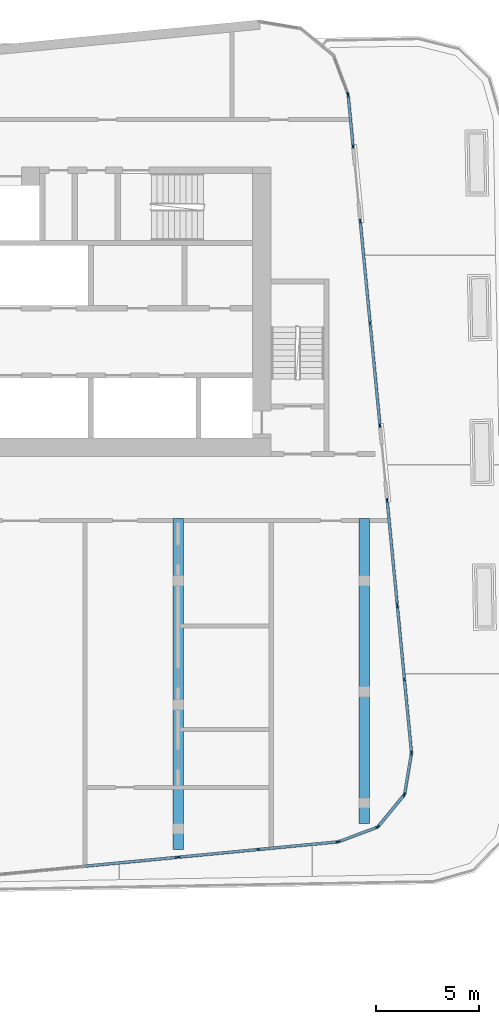
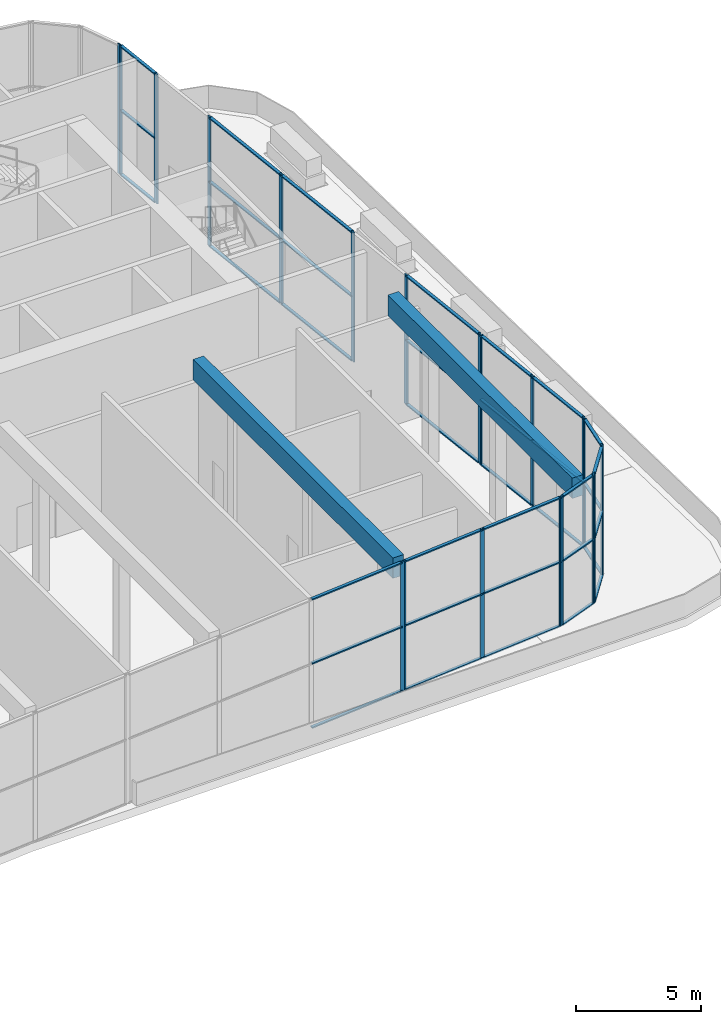
# One storey, part 7 of 24: 57 members, 2 beams, 10 elements without a shape of their own.
"""IFC4 building model written with IfcOpenShell, lengths in metres."""

from ifc_helpers import new_model, si_unit, direction, frame, origin, origin_2d, place, context, subcontext, project, spatial, rectangle, extrude, material, material_profile, profile_set, type_object, element, aggregate, save


model = new_model("IFC4")

# Units and contexts
model_context = context("Model", 3, precision=1e-05, world=origin(), true_north=direction((0.0, 1.0)))
body_context = subcontext(model_context, "Body", "Model", "MODEL_VIEW")
ifc_project = project(units=[si_unit("LENGTHUNIT", "METRE"), si_unit("AREAUNIT", "SQUARE_METRE"), si_unit("VOLUMEUNIT", "CUBIC_METRE"), si_unit("PLANEANGLEUNIT", "RADIAN"), si_unit("MASSUNIT", "GRAM", prefix="KILO")], contexts=[model_context])

# Site, building, storey
site_placement = place(None, origin())
site = spatial("IfcSite", under=ifc_project, at=site_placement, CompositionType="ELEMENT")
building_placement = place(site_placement, origin())
building = spatial("IfcBuilding", under=site, at=building_placement, Name="Kajstack Hotel Tower", CompositionType="ELEMENT")
storey_placement = place(building_placement, frame((0.0, 0.0, 261.89990234375)))
storey = spatial("IfcBuildingStorey", under=building, at=storey_placement, Name="L65", CompositionType="ELEMENT", Elevation=261.89990234375)

# Curtain wall, member
ifc_material_1 = material(Name="Aluminium-framed curtain wall, low-iron insulated glass", Category="aluminium")
curtain_wall_type = type_object("IfcCurtainWallType", Name="CW-GARDEN", PredefinedType="NOTDEFINED", material=ifc_material_1)
curtain_wall_1_placement = place(storey_placement, origin())
curtain_wall_1 = element("IfcCurtainWall", 1, at=curtain_wall_1_placement, inside=storey, type_object=curtain_wall_type, Name="Curtain wall CU6 L65-04-02-3", PredefinedType="NOTDEFINED")
ifc_material_2 = material(Name="Aluminium", Category="aluminium")
ifc_material_profile_1 = material_profile(ifc_material_2, rectangle(XDim=0.06005859375, YDim=0.199951171875, at=origin_2d()), Name="Aluminium mullion 60 x 200")
ifc_profile_set_1 = profile_set([ifc_material_profile_1], Name="Aluminium")
member_type_1 = type_object("IfcMemberType", Name="CW-M-GARDEN", PredefinedType="MULLION", material=ifc_profile_set_1)
member_1_placement = place(storey_placement, frame((26.962890625, -17.87646484375, 0.0), z_axis=(0.0, 0.0, 1.0), x_axis=(-0.09584623832, 0.99539615159, 0.0)))
member_1 = element("IfcMember", 2, at=member_1_placement, type_object=member_type_1, Name="CU6 mullion 4", PredefinedType="MULLION", context=body_context, shape_type="SweptSolid", body=[
    extrude(rectangle(XDim=0.06005859375, YDim=0.199951171875, at=origin_2d()), origin(), (0.0, 0.0, 1.0), 6.320068359375),
])

# Curtain wall, members
curtain_wall_2_placement = place(storey_placement, origin())
curtain_wall_2 = element("IfcCurtainWall", 3, at=curtain_wall_2_placement, inside=storey, type_object=curtain_wall_type, Name="Curtain wall CU6 L65-04-02-4", PredefinedType="NOTDEFINED")
member_2_placement = place(storey_placement, frame((27.022705078125, -17.87060546875, 0.0), z_axis=(0.0, 0.0, 1.0), x_axis=(-0.09584633566, 0.995396142217, 0.0)))
member_2 = element("IfcMember", 4, at=member_2_placement, type_object=member_type_1, Name="CU6 mullion 1", PredefinedType="MULLION", context=body_context, shape_type="SweptSolid", body=[
    extrude(rectangle(XDim=0.06005859375, YDim=0.199951171875, at=origin_2d()), origin(), (0.0, 0.0, 1.0), 6.320068359375),
])
member_3_placement = place(storey_placement, frame((30.871826171875, -17.5, 0.0), z_axis=(0.0, 0.0, 1.0), x_axis=(-0.09584633566, 0.995396142217, 0.0)))
member_3 = element("IfcMember", 5, at=member_3_placement, type_object=member_type_1, Name="CU6 mullion 2", PredefinedType="MULLION", context=body_context, shape_type="SweptSolid", body=[
    extrude(rectangle(XDim=0.06005859375, YDim=0.199951171875, at=origin_2d()), origin(), (0.0, 0.0, 1.0), 6.320068359375),
])
member_4_placement = place(storey_placement, frame((34.720947265625, -17.12939453125, 0.0), z_axis=(0.0, 0.0, 1.0), x_axis=(-0.09584633566, 0.995396142217, 0.0)))
member_4 = element("IfcMember", 6, at=member_4_placement, type_object=member_type_1, Name="CU6 mullion 3", PredefinedType="MULLION", context=body_context, shape_type="SweptSolid", body=[
    extrude(rectangle(XDim=0.06005859375, YDim=0.199951171875, at=origin_2d()), origin(), (0.0, 0.0, 1.0), 6.320068359375),
])

curtain_wall_3_placement = place(storey_placement, origin())
curtain_wall_3 = element("IfcCurtainWall", 7, at=curtain_wall_3_placement, inside=storey, type_object=curtain_wall_type, Name="Curtain wall CU6 L65-05-00-0", PredefinedType="NOTDEFINED")
member_5_placement = place(storey_placement, frame((34.760009765625, -17.120361328125, 0.0), z_axis=(0.0, 0.0, 1.0), x_axis=(-0.3502023187, 0.936674082046, 0.0)))
member_5 = element("IfcMember", 8, at=member_5_placement, type_object=member_type_1, Name="CU6 mullion 1", PredefinedType="MULLION", context=body_context, shape_type="SweptSolid", body=[
    extrude(rectangle(XDim=0.06005859375, YDim=0.199951171875, at=origin_2d()), origin(), (0.0, 0.0, 1.0), 6.320068359375),
])
member_6_placement = place(storey_placement, frame((36.64306640625, -16.416259765625, 0.0), z_axis=(0.0, 0.0, 1.0), x_axis=(-0.3502023187, 0.936674082046, 0.0)))
member_6 = element("IfcMember", 9, at=member_6_placement, type_object=member_type_1, Name="CU6 mullion 2", PredefinedType="MULLION", context=body_context, shape_type="SweptSolid", body=[
    extrude(rectangle(XDim=0.06005859375, YDim=0.199951171875, at=origin_2d()), origin(), (0.0, 0.0, 1.0), 6.320068359375),
])

curtain_wall_4_placement = place(storey_placement, origin())
curtain_wall_4 = element("IfcCurtainWall", 10, at=curtain_wall_4_placement, inside=storey, type_object=curtain_wall_type, Name="Curtain wall CU6 L65-06-00-0", PredefinedType="NOTDEFINED")
member_7_placement = place(storey_placement, frame((36.65869140625, -16.4052734375, 0.0), z_axis=(0.0, 0.0, 1.0), x_axis=(-0.771634596978, 0.636066072627, 0.0)))
member_7 = element("IfcMember", 11, at=member_7_placement, type_object=member_type_1, Name="CU6 mullion 1", PredefinedType="MULLION", context=body_context, shape_type="SweptSolid", body=[
    extrude(rectangle(XDim=0.06005859375, YDim=0.199951171875, at=origin_2d()), origin(), (0.0, 0.0, 1.0), 6.320068359375),
])
member_8_placement = place(storey_placement, frame((37.9375, -14.853759765625, 0.0), z_axis=(0.0, 0.0, 1.0), x_axis=(-0.771634596978, 0.636066072627, 0.0)))
member_8 = element("IfcMember", 12, at=member_8_placement, type_object=member_type_1, Name="CU6 mullion 2", PredefinedType="MULLION", context=body_context, shape_type="SweptSolid", body=[
    extrude(rectangle(XDim=0.06005859375, YDim=0.199951171875, at=origin_2d()), origin(), (0.0, 0.0, 1.0), 6.320068359375),
])

curtain_wall_5_placement = place(storey_placement, origin())
curtain_wall_5 = element("IfcCurtainWall", 13, at=curtain_wall_5_placement, inside=storey, type_object=curtain_wall_type, Name="Curtain wall CU6 L65-07-00-0", PredefinedType="NOTDEFINED")
member_9_placement = place(storey_placement, frame((37.945556640625, -14.83642578125, 0.0), z_axis=(0.0, 0.0, 1.0), x_axis=(-0.986280124455, 0.165080332276, 0.0)))
member_9 = element("IfcMember", 14, at=member_9_placement, type_object=member_type_1, Name="CU6 mullion 1", PredefinedType="MULLION", context=body_context, shape_type="SweptSolid", body=[
    extrude(rectangle(XDim=0.06005859375, YDim=0.199951171875, at=origin_2d()), origin(), (0.0, 0.0, 1.0), 6.320068359375),
])
member_10_placement = place(storey_placement, frame((38.27734375, -12.853515625, 0.0), z_axis=(0.0, 0.0, 1.0), x_axis=(-0.986280124455, 0.165080332276, 0.0)))
member_10 = element("IfcMember", 15, at=member_10_placement, type_object=member_type_1, Name="CU6 mullion 2", PredefinedType="MULLION", context=body_context, shape_type="SweptSolid", body=[
    extrude(rectangle(XDim=0.06005859375, YDim=0.199951171875, at=origin_2d()), origin(), (0.0, 0.0, 1.0), 6.320068359375),
])

curtain_wall_6_placement = place(storey_placement, origin())
curtain_wall_6 = element("IfcCurtainWall", 16, at=curtain_wall_6_placement, inside=storey, type_object=curtain_wall_type, Name="Curtain wall CU6 L65-08-00-0", PredefinedType="NOTDEFINED")
member_11_placement = place(storey_placement, frame((38.27880859375, -12.813720703125, 0.0), z_axis=(0.0, 0.0, 1.0), x_axis=(-0.995396097741, -0.095846797555, 0.0)))
member_11 = element("IfcMember", 17, at=member_11_placement, type_object=member_type_1, Name="CU6 mullion 1", PredefinedType="MULLION", context=body_context, shape_type="SweptSolid", body=[
    extrude(rectangle(XDim=0.06005859375, YDim=0.199951171875, at=origin_2d()), origin(), (0.0, 0.0, 1.0), 6.320068359375),
])
member_12_placement = place(storey_placement, frame((37.93798828125, -9.275390625, 0.0), z_axis=(0.0, 0.0, 1.0), x_axis=(-0.995396097741, -0.095846797555, 0.0)))
member_12 = element("IfcMember", 18, at=member_12_placement, type_object=member_type_1, Name="CU6 mullion 2", PredefinedType="MULLION", context=body_context, shape_type="SweptSolid", body=[
    extrude(rectangle(XDim=0.06005859375, YDim=0.199951171875, at=origin_2d()), origin(), (0.0, 0.0, 1.0), 6.320068359375),
])
member_13_placement = place(storey_placement, frame((37.597412109375, -5.737060546875, 0.0), z_axis=(0.0, 0.0, 1.0), x_axis=(-0.995396097741, -0.095846797555, 0.0)))
member_13 = element("IfcMember", 19, at=member_13_placement, type_object=member_type_1, Name="CU6 mullion 3", PredefinedType="MULLION", context=body_context, shape_type="SweptSolid", body=[
    extrude(rectangle(XDim=0.06005859375, YDim=0.199951171875, at=origin_2d()), origin(), (0.0, 0.0, 1.0), 6.320068359375),
])

curtain_wall_7_placement = place(storey_placement, origin())
curtain_wall_7 = element("IfcCurtainWall", 20, at=curtain_wall_7_placement, inside=storey, type_object=curtain_wall_type, Name="Curtain wall CU6 L65-08-00-1", PredefinedType="NOTDEFINED")
member_14_placement = place(storey_placement, frame((37.591552734375, -5.67724609375, 0.0), z_axis=(0.0, 0.0, 1.0), x_axis=(-0.995396109627, -0.09584667412, 0.0)))
member_14 = element("IfcMember", 21, at=member_14_placement, type_object=member_type_1, Name="CU6 mullion 1", PredefinedType="MULLION", context=body_context, shape_type="SweptSolid", body=[
    extrude(rectangle(XDim=0.06005859375, YDim=0.199951171875, at=origin_2d()), origin(), (0.0, 0.0, 1.0), 6.320068359375),
])
member_15_placement = place(storey_placement, frame((37.10546875, -0.628662109375, 0.0), z_axis=(0.0, 0.0, 1.0), x_axis=(-0.995396109627, -0.09584667412, 0.0)))
member_15 = element("IfcMember", 22, at=member_15_placement, type_object=member_type_1, Name="CU6 mullion 2", PredefinedType="MULLION", context=body_context, shape_type="SweptSolid", body=[
    extrude(rectangle(XDim=0.06005859375, YDim=0.199951171875, at=origin_2d()), origin(), (0.0, 0.0, 1.0), 6.320068359375),
])

curtain_wall_8_placement = place(storey_placement, origin())
curtain_wall_8 = element("IfcCurtainWall", 23, at=curtain_wall_8_placement, inside=storey, type_object=curtain_wall_type, Name="Curtain wall CU6 L65-08-02-0", PredefinedType="NOTDEFINED")
member_16_placement = place(storey_placement, frame((36.754638671875, 3.014404296875, 0.0), z_axis=(0.0, 0.0, 1.0), x_axis=(-0.995396093213, -0.095846844583, 0.0)))
member_16 = element("IfcMember", 24, at=member_16_placement, type_object=member_type_1, Name="CU6 mullion 1", PredefinedType="MULLION", context=body_context, shape_type="SweptSolid", body=[
    extrude(rectangle(XDim=0.06005859375, YDim=0.199951171875, at=origin_2d()), origin(), (0.0, 0.0, 1.0), 6.320068359375),
])
member_17_placement = place(storey_placement, frame((36.280029296875, 7.94287109375, 0.0), z_axis=(0.0, 0.0, 1.0), x_axis=(-0.995396093213, -0.095846844583, 0.0)))
member_17 = element("IfcMember", 25, at=member_17_placement, type_object=member_type_1, Name="CU6 mullion 2", PredefinedType="MULLION", context=body_context, shape_type="SweptSolid", body=[
    extrude(rectangle(XDim=0.06005859375, YDim=0.199951171875, at=origin_2d()), origin(), (0.0, 0.0, 1.0), 6.320068359375),
])
member_18_placement = place(storey_placement, frame((35.8056640625, 12.871337890625, 0.0), z_axis=(0.0, 0.0, 1.0), x_axis=(-0.995396093213, -0.095846844583, 0.0)))
member_18 = element("IfcMember", 26, at=member_18_placement, type_object=member_type_1, Name="CU6 mullion 3", PredefinedType="MULLION", context=body_context, shape_type="SweptSolid", body=[
    extrude(rectangle(XDim=0.06005859375, YDim=0.199951171875, at=origin_2d()), origin(), (0.0, 0.0, 1.0), 6.320068359375),
])

curtain_wall_9_placement = place(storey_placement, origin())
curtain_wall_9 = element("IfcCurtainWall", 27, at=curtain_wall_9_placement, inside=storey, type_object=curtain_wall_type, Name="Curtain wall CU6 L65-08-04-0", PredefinedType="NOTDEFINED")
member_19_placement = place(storey_placement, frame((35.454833984375, 16.514404296875, 0.0), z_axis=(0.0, 0.0, 1.0), x_axis=(-0.995396075676, -0.095847026704, 0.0)))
member_19 = element("IfcMember", 28, at=member_19_placement, type_object=member_type_1, Name="CU6 mullion 1", PredefinedType="MULLION", context=body_context, shape_type="SweptSolid", body=[
    extrude(rectangle(XDim=0.06005859375, YDim=0.199951171875, at=origin_2d()), origin(), (0.0, 0.0, 1.0), 6.320068359375),
])
member_20_placement = place(storey_placement, frame((35.217529296875, 18.979248046875, 0.0), z_axis=(0.0, 0.0, 1.0), x_axis=(-0.995396075676, -0.095847026704, 0.0)))
member_20 = element("IfcMember", 29, at=member_20_placement, type_object=member_type_1, Name="CU6 mullion 2", PredefinedType="MULLION", context=body_context, shape_type="SweptSolid", body=[
    extrude(rectangle(XDim=0.06005859375, YDim=0.199951171875, at=origin_2d()), origin(), (0.0, 0.0, 1.0), 6.320068359375),
])

# Curtain wall, member
curtain_wall_10_placement = place(storey_placement, origin())
curtain_wall_10 = element("IfcCurtainWall", 30, at=curtain_wall_10_placement, inside=storey, type_object=curtain_wall_type, Name="Curtain wall CU6 L65-09-00-0", PredefinedType="NOTDEFINED")
member_21_placement = place(storey_placement, frame((35.20849609375, 19.018310546875, 0.0), z_axis=(0.0, 0.0, 1.0), x_axis=(-0.936674082046, -0.3502023187, 0.0)))
member_21 = element("IfcMember", 31, at=member_21_placement, type_object=member_type_1, Name="CU6 mullion 1", PredefinedType="MULLION", context=body_context, shape_type="SweptSolid", body=[
    extrude(rectangle(XDim=0.06005859375, YDim=0.199951171875, at=origin_2d()), origin(), (0.0, 0.0, 1.0), 6.320068359375),
])
aggregate(curtain_wall_10, [member_21])

# Member
ifc_material_profile_2 = material_profile(ifc_material_2, rectangle(XDim=0.139892578125, YDim=0.06005859375, at=origin_2d()), Name="Aluminium transom 140 x 60")
ifc_profile_set_2 = profile_set([ifc_material_profile_2], Name="Aluminium")
member_type_2 = type_object("IfcMemberType", Name="CW-T-GARDEN", PredefinedType="USERDEFINED", material=ifc_profile_set_2)
member_22_placement = place(storey_placement, frame((22.522705078125, -18.303955078125, 0.030029296875), z_axis=(0.995398624916, 0.095820548504, 0.0), x_axis=(-0.095820548504, 0.995398624916, 0.0)))
member_22 = element("IfcMember", 32, at=member_22_placement, type_object=member_type_2, Name="CU6 transom 3.1", ObjectType="TRANSOM", PredefinedType="USERDEFINED", context=body_context, shape_type="SweptSolid", body=[
    extrude(rectangle(XDim=0.139892578125, YDim=0.06005859375, at=origin_2d()), origin(), (0.0, 0.0, 1.0), 4.430908203125),
])

member_23_placement = place(storey_placement, frame((22.522705078125, -18.303955078125, 3.16015625), z_axis=(0.995398624916, 0.095820548504, 0.0), x_axis=(-0.095820548504, 0.995398624916, 0.0)))
member_23 = element("IfcMember", 33, at=member_23_placement, type_object=member_type_2, Name="CU6 transom 3.2", ObjectType="TRANSOM", PredefinedType="USERDEFINED", context=body_context, shape_type="SweptSolid", body=[
    extrude(rectangle(XDim=0.139892578125, YDim=0.06005859375, at=origin_2d()), origin(), (0.0, 0.0, 1.0), 4.430908203125),
])

member_24_placement = place(storey_placement, frame((22.522705078125, -18.303955078125, 6.2900390625), z_axis=(0.995398624916, 0.095820548504, 0.0), x_axis=(-0.095820548504, 0.995398624916, 0.0)))
member_24 = element("IfcMember", 34, at=member_24_placement, type_object=member_type_2, Name="CU6 transom 3.3", ObjectType="TRANSOM", PredefinedType="USERDEFINED", context=body_context, shape_type="SweptSolid", body=[
    extrude(rectangle(XDim=0.139892578125, YDim=0.06005859375, at=origin_2d()), origin(), (0.0, 0.0, 1.0), 4.430908203125),
])

aggregate(curtain_wall_1, [member_1, member_22, member_23, member_24])

member_25_placement = place(storey_placement, frame((27.052490234375, -17.867919921875, 0.030029296875), z_axis=(0.995393742275, 0.095871256584, 0.0), x_axis=(-0.095871256584, 0.995393742275, 0.0)))
member_25 = element("IfcMember", 35, at=member_25_placement, type_object=member_type_2, Name="CU6 transom 1.1", ObjectType="TRANSOM", PredefinedType="USERDEFINED", context=body_context, shape_type="SweptSolid", body=[
    extrude(rectangle(XDim=0.139892578125, YDim=0.06005859375, at=origin_2d()), origin(), (0.0, 0.0, 1.0), 3.80712890625),
])

member_26_placement = place(storey_placement, frame((27.052490234375, -17.867919921875, 3.16015625), z_axis=(0.995393742275, 0.095871256584, 0.0), x_axis=(-0.095871256584, 0.995393742275, 0.0)))
member_26 = element("IfcMember", 36, at=member_26_placement, type_object=member_type_2, Name="CU6 transom 1.2", ObjectType="TRANSOM", PredefinedType="USERDEFINED", context=body_context, shape_type="SweptSolid", body=[
    extrude(rectangle(XDim=0.139892578125, YDim=0.06005859375, at=origin_2d()), origin(), (0.0, 0.0, 1.0), 3.80712890625),
])

member_27_placement = place(storey_placement, frame((27.052490234375, -17.867919921875, 6.2900390625), z_axis=(0.995393742275, 0.095871256584, 0.0), x_axis=(-0.095871256584, 0.995393742275, 0.0)))
member_27 = element("IfcMember", 37, at=member_27_placement, type_object=member_type_2, Name="CU6 transom 1.3", ObjectType="TRANSOM", PredefinedType="USERDEFINED", context=body_context, shape_type="SweptSolid", body=[
    extrude(rectangle(XDim=0.139892578125, YDim=0.06005859375, at=origin_2d()), origin(), (0.0, 0.0, 1.0), 3.80712890625),
])

member_28_placement = place(storey_placement, frame((30.901611328125, -17.4970703125, 0.030029296875), z_axis=(0.995399859991, 0.095807717487, 0.0), x_axis=(-0.095807717487, 0.995399859991, 0.0)))
member_28 = element("IfcMember", 38, at=member_28_placement, type_object=member_type_2, Name="CU6 transom 2.1", ObjectType="TRANSOM", PredefinedType="USERDEFINED", context=body_context, shape_type="SweptSolid", body=[
    extrude(rectangle(XDim=0.139892578125, YDim=0.06005859375, at=origin_2d()), origin(), (0.0, 0.0, 1.0), 3.80712890625),
])

member_29_placement = place(storey_placement, frame((30.901611328125, -17.4970703125, 3.16015625), z_axis=(0.995399859991, 0.095807717487, 0.0), x_axis=(-0.095807717487, 0.995399859991, 0.0)))
member_29 = element("IfcMember", 39, at=member_29_placement, type_object=member_type_2, Name="CU6 transom 2.2", ObjectType="TRANSOM", PredefinedType="USERDEFINED", context=body_context, shape_type="SweptSolid", body=[
    extrude(rectangle(XDim=0.139892578125, YDim=0.06005859375, at=origin_2d()), origin(), (0.0, 0.0, 1.0), 3.80712890625),
])

member_30_placement = place(storey_placement, frame((30.901611328125, -17.4970703125, 6.2900390625), z_axis=(0.995399859991, 0.095807717487, 0.0), x_axis=(-0.095807717487, 0.995399859991, 0.0)))
member_30 = element("IfcMember", 40, at=member_30_placement, type_object=member_type_2, Name="CU6 transom 2.3", ObjectType="TRANSOM", PredefinedType="USERDEFINED", context=body_context, shape_type="SweptSolid", body=[
    extrude(rectangle(XDim=0.139892578125, YDim=0.06005859375, at=origin_2d()), origin(), (0.0, 0.0, 1.0), 3.80712890625),
])

aggregate(curtain_wall_2, [member_2, member_3, member_4, member_25, member_26, member_27, member_28, member_29, member_30])

member_31_placement = place(storey_placement, frame((34.7880859375, -17.10986328125, 0.030029296875), z_axis=(0.936663116963, 0.350231645231, 0.0), x_axis=(-0.350231645231, 0.936663116963, 0.0)))
member_31 = element("IfcMember", 41, at=member_31_placement, type_object=member_type_2, Name="CU6 transom 1.1", ObjectType="TRANSOM", PredefinedType="USERDEFINED", context=body_context, shape_type="SweptSolid", body=[
    extrude(rectangle(XDim=0.139892578125, YDim=0.06005859375, at=origin_2d()), origin(), (0.0, 0.0, 1.0), 1.950439453125),
])

member_32_placement = place(storey_placement, frame((34.7880859375, -17.10986328125, 3.16015625), z_axis=(0.936663116963, 0.350231645231, 0.0), x_axis=(-0.350231645231, 0.936663116963, 0.0)))
member_32 = element("IfcMember", 42, at=member_32_placement, type_object=member_type_2, Name="CU6 transom 1.2", ObjectType="TRANSOM", PredefinedType="USERDEFINED", context=body_context, shape_type="SweptSolid", body=[
    extrude(rectangle(XDim=0.139892578125, YDim=0.06005859375, at=origin_2d()), origin(), (0.0, 0.0, 1.0), 1.950439453125),
])

member_33_placement = place(storey_placement, frame((34.7880859375, -17.10986328125, 6.2900390625), z_axis=(0.936663116963, 0.350231645231, 0.0), x_axis=(-0.350231645231, 0.936663116963, 0.0)))
member_33 = element("IfcMember", 43, at=member_33_placement, type_object=member_type_2, Name="CU6 transom 1.3", ObjectType="TRANSOM", PredefinedType="USERDEFINED", context=body_context, shape_type="SweptSolid", body=[
    extrude(rectangle(XDim=0.139892578125, YDim=0.06005859375, at=origin_2d()), origin(), (0.0, 0.0, 1.0), 1.950439453125),
])

aggregate(curtain_wall_3, [member_5, member_6, member_31, member_32, member_33])

member_34_placement = place(storey_placement, frame((36.677734375, -16.382080078125, 0.030029296875), z_axis=(0.636075700037, 0.771626660907, 0.0), x_axis=(-0.771626660907, 0.636075700037, 0.0)))
member_34 = element("IfcMember", 44, at=member_34_placement, type_object=member_type_2, Name="CU6 transom 1.1", ObjectType="TRANSOM", PredefinedType="USERDEFINED", context=body_context, shape_type="SweptSolid", body=[
    extrude(rectangle(XDim=0.139892578125, YDim=0.06005859375, at=origin_2d()), origin(), (0.0, 0.0, 1.0), 1.95068359375),
])

member_35_placement = place(storey_placement, frame((36.677734375, -16.382080078125, 3.16015625), z_axis=(0.636075700037, 0.771626660907, 0.0), x_axis=(-0.771626660907, 0.636075700037, 0.0)))
member_35 = element("IfcMember", 45, at=member_35_placement, type_object=member_type_2, Name="CU6 transom 1.2", ObjectType="TRANSOM", PredefinedType="USERDEFINED", context=body_context, shape_type="SweptSolid", body=[
    extrude(rectangle(XDim=0.139892578125, YDim=0.06005859375, at=origin_2d()), origin(), (0.0, 0.0, 1.0), 1.95068359375),
])

member_36_placement = place(storey_placement, frame((36.677734375, -16.382080078125, 6.2900390625), z_axis=(0.636075700037, 0.771626660907, 0.0), x_axis=(-0.771626660907, 0.636075700037, 0.0)))
member_36 = element("IfcMember", 46, at=member_36_placement, type_object=member_type_2, Name="CU6 transom 1.3", ObjectType="TRANSOM", PredefinedType="USERDEFINED", context=body_context, shape_type="SweptSolid", body=[
    extrude(rectangle(XDim=0.139892578125, YDim=0.06005859375, at=origin_2d()), origin(), (0.0, 0.0, 1.0), 1.95068359375),
])

aggregate(curtain_wall_4, [member_7, member_8, member_34, member_35, member_36])

member_37_placement = place(storey_placement, frame((37.950439453125, -14.806884765625, 0.030029296875), z_axis=(0.165089030927, 0.986278668464, 0.0), x_axis=(-0.986278668464, 0.165089030927, 0.0)))
member_37 = element("IfcMember", 47, at=member_37_placement, type_object=member_type_2, Name="CU6 transom 1.1", ObjectType="TRANSOM", PredefinedType="USERDEFINED", context=body_context, shape_type="SweptSolid", body=[
    extrude(rectangle(XDim=0.139892578125, YDim=0.06005859375, at=origin_2d()), origin(), (0.0, 0.0, 1.0), 1.95068359375),
])

member_38_placement = place(storey_placement, frame((37.950439453125, -14.806884765625, 3.16015625), z_axis=(0.165089030927, 0.986278668464, 0.0), x_axis=(-0.986278668464, 0.165089030927, 0.0)))
member_38 = element("IfcMember", 48, at=member_38_placement, type_object=member_type_2, Name="CU6 transom 1.2", ObjectType="TRANSOM", PredefinedType="USERDEFINED", context=body_context, shape_type="SweptSolid", body=[
    extrude(rectangle(XDim=0.139892578125, YDim=0.06005859375, at=origin_2d()), origin(), (0.0, 0.0, 1.0), 1.95068359375),
])

member_39_placement = place(storey_placement, frame((37.950439453125, -14.806884765625, 6.2900390625), z_axis=(0.165089030927, 0.986278668464, 0.0), x_axis=(-0.986278668464, 0.165089030927, 0.0)))
member_39 = element("IfcMember", 49, at=member_39_placement, type_object=member_type_2, Name="CU6 transom 1.3", ObjectType="TRANSOM", PredefinedType="USERDEFINED", context=body_context, shape_type="SweptSolid", body=[
    extrude(rectangle(XDim=0.139892578125, YDim=0.06005859375, at=origin_2d()), origin(), (0.0, 0.0, 1.0), 1.95068359375),
])

aggregate(curtain_wall_5, [member_9, member_10, member_37, member_38, member_39])

member_40_placement = place(storey_placement, frame((38.27587890625, -12.78369140625, 0.030029296875), z_axis=(-0.095850849995, 0.995395707523, 0.0), x_axis=(-0.995395707523, -0.095850849995, 0.0)))
member_40 = element("IfcMember", 50, at=member_40_placement, type_object=member_type_2, Name="CU6 transom 1.1", ObjectType="TRANSOM", PredefinedType="USERDEFINED", context=body_context, shape_type="SweptSolid", body=[
    extrude(rectangle(XDim=0.139892578125, YDim=0.06005859375, at=origin_2d()), origin(), (0.0, 0.0, 1.0), 3.49462890625),
])

member_41_placement = place(storey_placement, frame((38.27587890625, -12.78369140625, 3.16015625), z_axis=(-0.095850849995, 0.995395707523, 0.0), x_axis=(-0.995395707523, -0.095850849995, 0.0)))
member_41 = element("IfcMember", 51, at=member_41_placement, type_object=member_type_2, Name="CU6 transom 1.2", ObjectType="TRANSOM", PredefinedType="USERDEFINED", context=body_context, shape_type="SweptSolid", body=[
    extrude(rectangle(XDim=0.139892578125, YDim=0.06005859375, at=origin_2d()), origin(), (0.0, 0.0, 1.0), 3.49462890625),
])

member_42_placement = place(storey_placement, frame((38.27587890625, -12.78369140625, 6.2900390625), z_axis=(-0.095850849995, 0.995395707523, 0.0), x_axis=(-0.995395707523, -0.095850849995, 0.0)))
member_42 = element("IfcMember", 52, at=member_42_placement, type_object=member_type_2, Name="CU6 transom 1.3", ObjectType="TRANSOM", PredefinedType="USERDEFINED", context=body_context, shape_type="SweptSolid", body=[
    extrude(rectangle(XDim=0.139892578125, YDim=0.06005859375, at=origin_2d()), origin(), (0.0, 0.0, 1.0), 3.49462890625),
])

member_43_placement = place(storey_placement, frame((37.935302734375, -9.245361328125, 0.030029296875), z_axis=(-0.095850849995, 0.995395707523, 0.0), x_axis=(-0.995395707523, -0.095850849995, 0.0)))
member_43 = element("IfcMember", 53, at=member_43_placement, type_object=member_type_2, Name="CU6 transom 2.1", ObjectType="TRANSOM", PredefinedType="USERDEFINED", context=body_context, shape_type="SweptSolid", body=[
    extrude(rectangle(XDim=0.139892578125, YDim=0.06005859375, at=origin_2d()), origin(), (0.0, 0.0, 1.0), 3.49462890625),
])

member_44_placement = place(storey_placement, frame((37.935302734375, -9.245361328125, 3.16015625), z_axis=(-0.095850849995, 0.995395707523, 0.0), x_axis=(-0.995395707523, -0.095850849995, 0.0)))
member_44 = element("IfcMember", 54, at=member_44_placement, type_object=member_type_2, Name="CU6 transom 2.2", ObjectType="TRANSOM", PredefinedType="USERDEFINED", context=body_context, shape_type="SweptSolid", body=[
    extrude(rectangle(XDim=0.139892578125, YDim=0.06005859375, at=origin_2d()), origin(), (0.0, 0.0, 1.0), 3.49462890625),
])

member_45_placement = place(storey_placement, frame((37.935302734375, -9.245361328125, 6.2900390625), z_axis=(-0.095850849995, 0.995395707523, 0.0), x_axis=(-0.995395707523, -0.095850849995, 0.0)))
member_45 = element("IfcMember", 55, at=member_45_placement, type_object=member_type_2, Name="CU6 transom 2.3", ObjectType="TRANSOM", PredefinedType="USERDEFINED", context=body_context, shape_type="SweptSolid", body=[
    extrude(rectangle(XDim=0.139892578125, YDim=0.06005859375, at=origin_2d()), origin(), (0.0, 0.0, 1.0), 3.49462890625),
])

aggregate(curtain_wall_6, [member_11, member_12, member_13, member_40, member_41, member_42, member_43, member_44, member_45])

member_46_placement = place(storey_placement, frame((37.588623046875, -5.6474609375, 0.030029296875), z_axis=(-0.095818221388, 0.995398848929, 0.0), x_axis=(-0.995398848929, -0.095818221388, 0.0)))
member_46 = element("IfcMember", 56, at=member_46_placement, type_object=member_type_2, Name="CU6 transom 1.1", ObjectType="TRANSOM", PredefinedType="USERDEFINED", context=body_context, shape_type="SweptSolid", body=[
    extrude(rectangle(XDim=0.139892578125, YDim=0.06005859375, at=origin_2d()), origin(), (0.0, 0.0, 1.0), 5.01171875),
])

member_47_placement = place(storey_placement, frame((37.588623046875, -5.6474609375, 3.16015625), z_axis=(-0.095818221388, 0.995398848929, 0.0), x_axis=(-0.995398848929, -0.095818221388, 0.0)))
member_47 = element("IfcMember", 57, at=member_47_placement, type_object=member_type_2, Name="CU6 transom 1.2", ObjectType="TRANSOM", PredefinedType="USERDEFINED", context=body_context, shape_type="SweptSolid", body=[
    extrude(rectangle(XDim=0.139892578125, YDim=0.06005859375, at=origin_2d()), origin(), (0.0, 0.0, 1.0), 5.01171875),
])

member_48_placement = place(storey_placement, frame((37.588623046875, -5.6474609375, 6.2900390625), z_axis=(-0.095818221388, 0.995398848929, 0.0), x_axis=(-0.995398848929, -0.095818221388, 0.0)))
member_48 = element("IfcMember", 58, at=member_48_placement, type_object=member_type_2, Name="CU6 transom 1.3", ObjectType="TRANSOM", PredefinedType="USERDEFINED", context=body_context, shape_type="SweptSolid", body=[
    extrude(rectangle(XDim=0.139892578125, YDim=0.06005859375, at=origin_2d()), origin(), (0.0, 0.0, 1.0), 5.01171875),
])

aggregate(curtain_wall_7, [member_14, member_15, member_46, member_47, member_48])

member_49_placement = place(storey_placement, frame((36.751708984375, 3.044189453125, 0.030029296875), z_axis=(-0.095831287911, 0.995397591045, 0.0), x_axis=(-0.995397591045, -0.095831287911, 0.0)))
member_49 = element("IfcMember", 59, at=member_49_placement, type_object=member_type_2, Name="CU6 transom 1.1", ObjectType="TRANSOM", PredefinedType="USERDEFINED", context=body_context, shape_type="SweptSolid", body=[
    extrude(rectangle(XDim=0.139892578125, YDim=0.06005859375, at=origin_2d()), origin(), (0.0, 0.0, 1.0), 4.891357421875),
])

member_50_placement = place(storey_placement, frame((36.751708984375, 3.044189453125, 3.16015625), z_axis=(-0.095831287911, 0.995397591045, 0.0), x_axis=(-0.995397591045, -0.095831287911, 0.0)))
member_50 = element("IfcMember", 60, at=member_50_placement, type_object=member_type_2, Name="CU6 transom 1.2", ObjectType="TRANSOM", PredefinedType="USERDEFINED", context=body_context, shape_type="SweptSolid", body=[
    extrude(rectangle(XDim=0.139892578125, YDim=0.06005859375, at=origin_2d()), origin(), (0.0, 0.0, 1.0), 4.891357421875),
])

member_51_placement = place(storey_placement, frame((36.751708984375, 3.044189453125, 6.2900390625), z_axis=(-0.095831287911, 0.995397591045, 0.0), x_axis=(-0.995397591045, -0.095831287911, 0.0)))
member_51 = element("IfcMember", 61, at=member_51_placement, type_object=member_type_2, Name="CU6 transom 1.3", ObjectType="TRANSOM", PredefinedType="USERDEFINED", context=body_context, shape_type="SweptSolid", body=[
    extrude(rectangle(XDim=0.139892578125, YDim=0.06005859375, at=origin_2d()), origin(), (0.0, 0.0, 1.0), 4.891357421875),
])

member_52_placement = place(storey_placement, frame((36.27734375, 7.97265625, 0.030029296875), z_axis=(-0.09588074131, 0.995392828709, 0.0), x_axis=(-0.995392828709, -0.09588074131, 0.0)))
member_52 = element("IfcMember", 62, at=member_52_placement, type_object=member_type_2, Name="CU6 transom 2.1", ObjectType="TRANSOM", PredefinedType="USERDEFINED", context=body_context, shape_type="SweptSolid", body=[
    extrude(rectangle(XDim=0.139892578125, YDim=0.06005859375, at=origin_2d()), origin(), (0.0, 0.0, 1.0), 4.891357421875),
])

member_53_placement = place(storey_placement, frame((36.27734375, 7.97265625, 3.16015625), z_axis=(-0.09588074131, 0.995392828709, 0.0), x_axis=(-0.995392828709, -0.09588074131, 0.0)))
member_53 = element("IfcMember", 63, at=member_53_placement, type_object=member_type_2, Name="CU6 transom 2.2", ObjectType="TRANSOM", PredefinedType="USERDEFINED", context=body_context, shape_type="SweptSolid", body=[
    extrude(rectangle(XDim=0.139892578125, YDim=0.06005859375, at=origin_2d()), origin(), (0.0, 0.0, 1.0), 4.891357421875),
])

member_54_placement = place(storey_placement, frame((36.27734375, 7.97265625, 6.2900390625), z_axis=(-0.09588074131, 0.995392828709, 0.0), x_axis=(-0.995392828709, -0.09588074131, 0.0)))
member_54 = element("IfcMember", 64, at=member_54_placement, type_object=member_type_2, Name="CU6 transom 2.3", ObjectType="TRANSOM", PredefinedType="USERDEFINED", context=body_context, shape_type="SweptSolid", body=[
    extrude(rectangle(XDim=0.139892578125, YDim=0.06005859375, at=origin_2d()), origin(), (0.0, 0.0, 1.0), 4.891357421875),
])

aggregate(curtain_wall_8, [member_16, member_17, member_18, member_49, member_50, member_51, member_52, member_53, member_54])

member_55_placement = place(storey_placement, frame((35.451904296875, 16.544189453125, 0.030029296875), z_axis=(-0.095881820523, 0.995392724754, 0.0), x_axis=(-0.995392724754, -0.095881820523, 0.0)))
member_55 = element("IfcMember", 65, at=member_55_placement, type_object=member_type_2, Name="CU6 transom 1.1", ObjectType="TRANSOM", PredefinedType="USERDEFINED", context=body_context, shape_type="SweptSolid", body=[
    extrude(rectangle(XDim=0.139892578125, YDim=0.06005859375, at=origin_2d()), origin(), (0.0, 0.0, 1.0), 2.41650390625),
])

member_56_placement = place(storey_placement, frame((35.451904296875, 16.544189453125, 3.16015625), z_axis=(-0.095881820523, 0.995392724754, 0.0), x_axis=(-0.995392724754, -0.095881820523, 0.0)))
member_56 = element("IfcMember", 66, at=member_56_placement, type_object=member_type_2, Name="CU6 transom 1.2", ObjectType="TRANSOM", PredefinedType="USERDEFINED", context=body_context, shape_type="SweptSolid", body=[
    extrude(rectangle(XDim=0.139892578125, YDim=0.06005859375, at=origin_2d()), origin(), (0.0, 0.0, 1.0), 2.41650390625),
])

member_57_placement = place(storey_placement, frame((35.451904296875, 16.544189453125, 6.2900390625), z_axis=(-0.095881820523, 0.995392724754, 0.0), x_axis=(-0.995392724754, -0.095881820523, 0.0)))
member_57 = element("IfcMember", 67, at=member_57_placement, type_object=member_type_2, Name="CU6 transom 1.3", ObjectType="TRANSOM", PredefinedType="USERDEFINED", context=body_context, shape_type="SweptSolid", body=[
    extrude(rectangle(XDim=0.139892578125, YDim=0.06005859375, at=origin_2d()), origin(), (0.0, 0.0, 1.0), 2.41650390625),
])

aggregate(curtain_wall_9, [member_19, member_20, member_55, member_56, member_57])

# Beams
ifc_material_3 = material(Name="Concrete C60/75", Category="concrete")
ifc_material_profile_3 = material_profile(ifc_material_3, rectangle(XDim=0.5, YDim=1.0, at=origin_2d()), Name="RC 500x1000")
ifc_profile_set_3 = profile_set([ifc_material_profile_3], Name="Concrete C60/75")
beam_type = type_object("IfcBeamType", Name="TG5 RC 500x1000 C60/75", PredefinedType="BEAM", material=ifc_profile_set_3)
beam_1_placement = place(storey_placement, frame((27.0, -17.49609375, 5.820068359375), z_axis=(0.0, 1.0, 0.0), x_axis=(-1.0, 0.0, 0.0)))
element("IfcBeam", 68, at=beam_1_placement, inside=storey, type_object=beam_type, Name="S-girder-L65-+27p0-1", PredefinedType="BEAM", context=body_context, shape_type="SweptSolid", body=[
    extrude(rectangle(XDim=0.5, YDim=1.0, at=origin_2d()), origin(), (0.0, 0.0, 1.0), 15.99609375),
])
beam_2_placement = place(storey_placement, frame((36.0, -16.256591796875, 5.820068359375), z_axis=(0.0, 1.0, 0.0), x_axis=(-1.0, 0.0, 0.0)))
element("IfcBeam", 69, at=beam_2_placement, inside=storey, type_object=beam_type, Name="S-girder-L65-+36p0-1", PredefinedType="BEAM", context=body_context, shape_type="SweptSolid", body=[
    extrude(rectangle(XDim=0.5, YDim=1.0, at=origin_2d()), origin(), (0.0, 0.0, 1.0), 14.756591796875),
])

save(model, "model.ifc")
